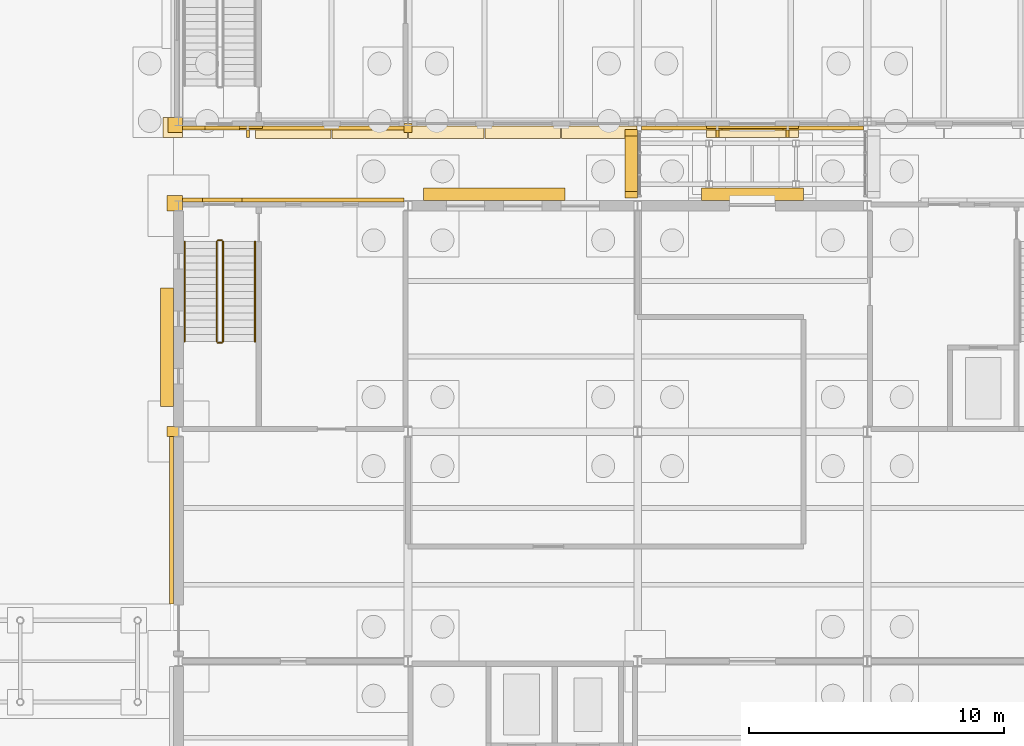
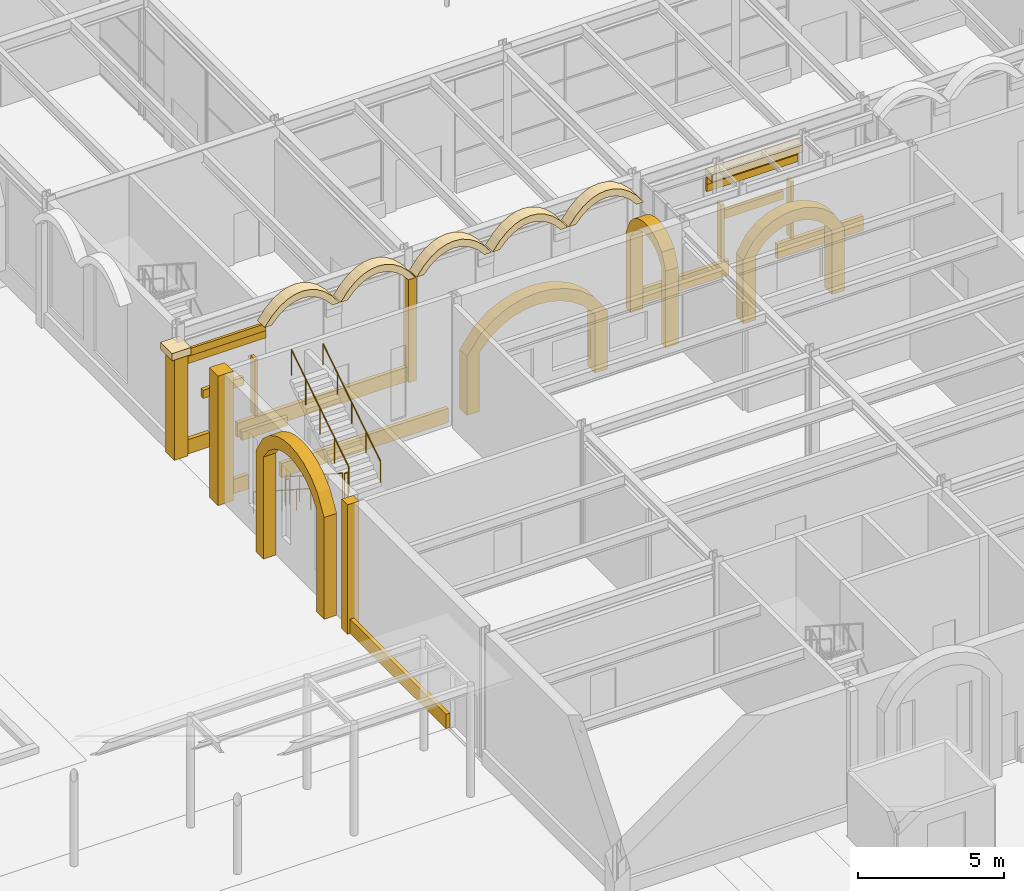
# One storey, part 103 of 126: 29 coverings, 6 railings, 3 shading devices.
"""IFC4 building model written with IfcOpenShell, lengths in metres."""

from ifc_helpers import new_model, si_unit, direction, frame, origin, origin_2d, place, context, subcontext, project, spatial, polyline, rectangle, circle, outline, extrude, material, layer, layer_set, type_object, element, save


model = new_model("IFC4")

# Units and contexts
model_context = context("Model", 3, precision=1e-05, world=origin(), true_north=direction((0.0, 1.0)))
body_context = subcontext(model_context, "Body", "Model", "MODEL_VIEW")
ifc_project = project(units=[si_unit("LENGTHUNIT", "METRE"), si_unit("AREAUNIT", "SQUARE_METRE"), si_unit("VOLUMEUNIT", "CUBIC_METRE"), si_unit("PLANEANGLEUNIT", "RADIAN"), si_unit("MASSUNIT", "GRAM", prefix="KILO")], contexts=[model_context])

# Site, building, storey
site_placement = place(None, origin())
site = spatial("IfcSite", under=ifc_project, at=site_placement, CompositionType="ELEMENT")
building_placement = place(site_placement, origin())
building = spatial("IfcBuilding", under=site, at=building_placement, Name="Kallimachos Central Library", CompositionType="ELEMENT")
storey_placement = place(building_placement, origin())
storey = spatial("IfcBuildingStorey", under=building, at=storey_placement, Name="L00", CompositionType="ELEMENT", Elevation=0.0)

# Coverings
ifc_material_1 = material(Name="Glazed ceramic frieze, green")
ifc_layer_1 = layer(ifc_material_1, 0.10009765625)
ifc_layer_set_1 = layer_set([ifc_layer_1], Name="Glazed ceramic frieze, green")
covering_type_1 = type_object("IfcCoveringType", Name="Glazed ceramic frieze, green", PredefinedType="CLADDING", material=ifc_layer_set_1)
covering_1_placement = place(storey_placement, frame((67.22509765625, 47.929931640625, 4.02978515625), z_axis=(0.0, 0.0, 1.0), x_axis=(1.0, 0.0, 0.0)))
element("IfcCovering", 1, at=covering_1_placement, inside=storey, type_object=covering_type_1, Name="Glazed ceramic frieze, green -L00-015", PredefinedType="CLADDING", context=body_context, shape_type="SweptSolid", body=[
    extrude(rectangle(XDim=3.14990234375, YDim=0.10009765625, at=origin_2d()), origin(), (0.0, 0.0, 1.0), 0.300048828125),
])
covering_2_placement = place(storey_placement, frame((88.0, 47.929931640625, 4.02978515625), z_axis=(0.0, 0.0, 1.0), x_axis=(1.0, 0.0, 0.0)))
element("IfcCovering", 2, at=covering_2_placement, inside=storey, type_object=covering_type_1, Name="Glazed ceramic frieze, green -L00-017", PredefinedType="CLADDING", context=body_context, shape_type="SweptSolid", body=[
    extrude(rectangle(XDim=3.60009765625, YDim=0.10009765625, at=origin_2d()), origin(), (0.0, 0.0, 1.0), 0.300048828125),
])
ifc_material_2 = material(Name="Glazed ceramic frieze, ochre")
ifc_layer_2 = layer(ifc_material_2, 0.10009765625)
ifc_layer_set_2 = layer_set([ifc_layer_2], Name="Glazed ceramic frieze, ochre")
covering_type_2 = type_object("IfcCoveringType", Name="Glazed ceramic frieze, ochre", PredefinedType="CLADDING", material=ifc_layer_set_2)
covering_3_placement = place(storey_placement, frame((67.22509765625, 47.929931640625, 3.72998046875), z_axis=(0.0, 0.0, 1.0), x_axis=(1.0, 0.0, 0.0)))
element("IfcCovering", 3, at=covering_3_placement, inside=storey, type_object=covering_type_2, Name="Glazed ceramic frieze, ochre -L00-015", PredefinedType="CLADDING", context=body_context, shape_type="SweptSolid", body=[
    extrude(rectangle(XDim=3.14990234375, YDim=0.10009765625, at=origin_2d()), origin(), (0.0, 0.0, 1.0), 0.300048828125),
])
covering_4_placement = place(storey_placement, frame((88.0, 47.929931640625, 3.72998046875), z_axis=(0.0, 0.0, 1.0), x_axis=(1.0, 0.0, 0.0)))
element("IfcCovering", 4, at=covering_4_placement, inside=storey, type_object=covering_type_2, Name="Glazed ceramic frieze, ochre -L00-017", PredefinedType="CLADDING", context=body_context, shape_type="SweptSolid", body=[
    extrude(rectangle(XDim=3.60009765625, YDim=0.10009765625, at=origin_2d()), origin(), (0.0, 0.0, 1.0), 0.300048828125),
])

# Railings
ifc_material_3 = material(Name="Steel S355J2", Category="steel")
railing_type_1 = type_object("IfcRailingType", Name="Stair handrail 900", PredefinedType="HANDRAIL", material=ifc_material_3)
railing_1_placement = place(storey_placement, frame((65.75, 43.449951171875, 0.179931640625)))
element("IfcRailing", 5, at=railing_1_placement, inside=storey, type_object=railing_type_1, Name="L00 ST15 stair handrail 1", PredefinedType="HANDRAIL", context=body_context, shape_type="SweptSolid", body=[
    extrude(circle(Radius=0.02392578125, at=origin_2d()), frame((0.0, 0.0, 0.8759765625), z_axis=(0.0, -0.841171666519, 0.540768182723), x_axis=(1.0, 0.0, 0.0)), (0.0, 0.0, 1.0), 4.66015625),
    extrude(circle(Radius=0.02099609375, at=origin_2d()), origin(), (0.0, 0.0, 1.0), 0.851806640625),
    extrude(circle(Radius=0.02099609375, at=origin_2d()), frame((0.0, -0.97998046875, 0.6298828125)), (0.0, 0.0, 1.0), 0.851806640625),
    extrude(circle(Radius=0.02099609375, at=origin_2d()), frame((0.0, -1.9599609375, 1.260009765625)), (0.0, 0.0, 1.0), 0.851806640625),
    extrude(circle(Radius=0.02099609375, at=origin_2d()), frame((0.0, -2.93994140625, 1.89013671875)), (0.0, 0.0, 1.0), 0.851806640625),
    extrude(circle(Radius=0.02099609375, at=origin_2d()), frame((0.0, -3.919921875, 2.52001953125)), (0.0, 0.0, 1.0), 0.851806640625),
])
railing_2_placement = place(storey_placement, frame((68.5, 39.530029296875, 2.8798828125)))
element("IfcRailing", 6, at=railing_2_placement, inside=storey, type_object=railing_type_1, Name="L00 ST15 stair handrail 2", PredefinedType="HANDRAIL", context=body_context, shape_type="SweptSolid", body=[
    extrude(circle(Radius=0.02392578125, at=origin_2d()), frame((0.0, 0.0, 0.8759765625), z_axis=(0.0, 0.841171666519, 0.540768182723), x_axis=(-1.0, 0.0, 0.0)), (0.0, 0.0, 1.0), 4.66015625),
    extrude(circle(Radius=0.02099609375, at=origin_2d()), origin(), (0.0, 0.0, 1.0), 0.851806640625),
    extrude(circle(Radius=0.02099609375, at=origin_2d()), frame((0.0, 0.97998046875, 0.6298828125)), (0.0, 0.0, 1.0), 0.851806640625),
    extrude(circle(Radius=0.02099609375, at=origin_2d()), frame((0.0, 1.9599609375, 1.260009765625)), (0.0, 0.0, 1.0), 0.851806640625),
    extrude(circle(Radius=0.02099609375, at=origin_2d()), frame((0.0, 2.93994140625, 1.89013671875)), (0.0, 0.0, 1.0), 0.851806640625),
    extrude(circle(Radius=0.02099609375, at=origin_2d()), frame((0.0, 3.919921875, 2.52001953125)), (0.0, 0.0, 1.0), 0.851806640625),
])

# Coverings
ifc_material_4 = material(Name="Pentelic marble arch ring", Category="masonry")
ifc_layer_3 = layer(ifc_material_4, 0.5)
ifc_layer_set_3 = layer_set([ifc_layer_3], Name="Stone arcade arch 500")
covering_type_3 = type_object("IfcCoveringType", Name="Stone arcade arch 500", PredefinedType="MOLDING", material=ifc_layer_set_3)
for number, where, z_axis, x_axis, name in (
    (7, (68.52001953125, 47.47998046875, 4.5), (0.0, -1.0, 0.0), (1.0, 0.0, 0.0), "Arcade arch 1"),
    (8, (71.52001953125, 47.47998046875, 4.5), (0.0, -1.0, 0.0), (1.0, 0.0, 0.0), "Arcade arch 2"),
    (9, (74.52001953125, 47.47998046875, 4.5), (0.0, -1.0, 0.0), (1.0, 0.0, 0.0), "Arcade arch 3"),
    (10, (77.52001953125, 47.47998046875, 4.5), (0.0, -1.0, 0.0), (1.0, 0.0, 0.0), "Arcade arch 4"),
    (11, (80.52001953125, 47.47998046875, 4.5), (0.0, -1.0, 0.0), (1.0, 0.0, 0.0), "Arcade arch 5"),
):
    element("IfcCovering", number, at=place(storey_placement, frame(where, z_axis=z_axis, x_axis=x_axis)), inside=storey, type_object=covering_type_3, Name=name, PredefinedType="MOLDING", context=body_context, shape_type="SweptSolid", body=[
        extrude(outline(polyline([(0.0, 0.0), (0.280029296875, 0.0), (0.280029296875, 0.0), (0.52001953125, 0.2666015625), (0.760009765625, 0.462646484375), (1.0, 0.596435546875), (1.239990234375, 0.67431640625), (1.47998046875, 0.699951171875), (1.719970703125, 0.67431640625), (1.9599609375, 0.596435546875), (2.199951171875, 0.462646484375), (2.43994140625, 0.2666015625), (2.679931640625, 0.0), (2.679931640625, 0.0), (2.9599609375, 0.0), (2.9599609375, 0.0), (2.6640625, 0.38671875), (2.367919921875, 0.666259765625), (2.072021484375, 0.85498046875), (1.77587890625, 0.96435546875), (1.47998046875, 1.0), (1.18408203125, 0.96435546875), (0.887939453125, 0.85498046875), (0.592041015625, 0.666259765625), (0.2958984375, 0.38671875), (0.0, 0.0), (0.0, 0.0)])), origin(), (0.0, 0.0, -1.0), 0.5),
    ])
ifc_material_5 = material(Name="Pentelic marble arcade ring", Category="masonry")
ifc_layer_4 = layer(ifc_material_5, 0.5)
ifc_layer_set_4 = layer_set([ifc_layer_4], Name="Stone arcade ring 500")
covering_type_4 = type_object("IfcCoveringType", Name="Stone arcade ring 500", PredefinedType="MOLDING", material=ifc_layer_set_4)
covering_5_placement = place(storey_placement, frame((75.10009765625, 45.550048828125, 0.0), z_axis=(0.0, 1.0, 0.0), x_axis=(0.0, 0.0, 1.0)))
element("IfcCovering", 12, at=covering_5_placement, inside=storey, type_object=covering_type_4, Name="Arch ring -L00-016-3", PredefinedType="MOLDING", context=body_context, shape_type="SweptSolid", body=[
    extrude(outline(polyline([(0.0, 0.0), (2.449951171875, 0.0), (3.22021484375, 0.554931640625), (3.667724609375, 1.10986328125), (3.945556640625, 1.664794921875), (4.10009765625, 2.219970703125), (4.14990234375, 2.77490234375), (4.10009765625, 3.329833984375), (3.945556640625, 3.885009765625), (3.667724609375, 4.43994140625), (3.22021484375, 4.994873046875), (2.449951171875, 5.5498046875), (0.0, 5.5498046875), (0.0, 5.0498046875), (2.449951171875, 5.0498046875), (2.963623046875, 4.594970703125), (3.288330078125, 4.139892578125), (3.49560546875, 3.684814453125), (3.6123046875, 3.22998046875), (3.64990234375, 2.77490234375), (3.6123046875, 2.31982421875), (3.49560546875, 1.864990234375), (3.288330078125, 1.409912109375), (2.963623046875, 0.954833984375), (2.449951171875, 0.5), (0.0, 0.5), (0.0, 0.0)])), origin(), (0.0, 0.0, -1.0), 0.5),
])
covering_6_placement = place(storey_placement, frame((86.0, 45.550048828125, 0.0), z_axis=(0.0, 1.0, 0.0), x_axis=(0.0, 0.0, 1.0)))
element("IfcCovering", 13, at=covering_6_placement, inside=storey, type_object=covering_type_4, Name="Arch ring -L00-017-4", PredefinedType="MOLDING", context=body_context, shape_type="SweptSolid", body=[
    extrude(outline(polyline([(0.0, 0.0), (2.64990234375, 0.0), (3.3251953125, 0.39990234375), (3.679443359375, 0.800048828125), (3.893798828125, 1.199951171875), (4.01220703125, 1.60009765625), (4.050048828125, 2.0), (4.01220703125, 2.39990234375), (3.893798828125, 2.800048828125), (3.679443359375, 3.199951171875), (3.3251953125, 3.60009765625), (2.64990234375, 4.0), (0.0, 4.0), (0.0, 3.5), (2.64990234375, 3.5), (3.05419921875, 3.199951171875), (3.292236328125, 2.89990234375), (3.440673828125, 2.60009765625), (3.523193359375, 2.300048828125), (3.550048828125, 2.0), (3.523193359375, 1.699951171875), (3.440673828125, 1.39990234375), (3.292236328125, 1.10009765625), (3.05419921875, 0.800048828125), (2.64990234375, 0.5), (0.0, 0.5), (0.0, 0.0)])), origin(), (0.0, 0.0, -1.0), 0.5),
])
covering_7_placement = place(storey_placement, frame((64.800048828125, 36.97509765625, 0.0), z_axis=(-1.0, 0.0, 0.0), x_axis=(0.0, 0.0, 1.0)))
element("IfcCovering", 14, at=covering_7_placement, inside=storey, type_object=covering_type_4, Name="Arch ring -L00-022-6", PredefinedType="MOLDING", context=body_context, shape_type="SweptSolid", body=[
    extrude(outline(polyline([(0.0, 0.0), (4.25, 0.0), (5.011474609375, 0.46484375), (5.41796875, 0.929931640625), (5.6650390625, 1.39501953125), (5.80126953125, 1.85986328125), (5.844970703125, 2.324951171875), (5.80126953125, 2.789794921875), (5.6650390625, 3.2548828125), (5.41796875, 3.719970703125), (5.011474609375, 4.184814453125), (4.25, 4.64990234375), (0.0, 4.64990234375), (0.0, 4.14990234375), (4.25, 4.14990234375), (4.74169921875, 3.784912109375), (5.031494140625, 3.419921875), (5.2119140625, 3.054931640625), (5.3125, 2.68994140625), (5.344970703125, 2.324951171875), (5.3125, 1.9599609375), (5.2119140625, 1.594970703125), (5.031494140625, 1.22998046875), (4.74169921875, 0.864990234375), (4.25, 0.5), (0.0, 0.5), (0.0, 0.0)])), origin(), (0.0, 0.0, -1.0), 0.5),
])
ifc_material_6 = material(Name="Pentelic marble cornice", Category="masonry")
ifc_layer_5 = layer(ifc_material_6, 0.449951171875)
ifc_layer_set_5 = layer_set([ifc_layer_5], Name="Stone cornice 450")
covering_type_5 = type_object("IfcCoveringType", Name="Stone cornice 450", PredefinedType="MOLDING", material=ifc_layer_set_5)
covering_8_placement = place(storey_placement, frame((88.0, 47.7548828125, 4.35009765625), z_axis=(0.0, 0.0, 1.0), x_axis=(1.0, 0.0, 0.0)))
element("IfcCovering", 15, at=covering_8_placement, inside=storey, type_object=covering_type_5, Name="Stone cornice 450 -L00-017", PredefinedType="MOLDING", context=body_context, shape_type="SweptSolid", body=[
    extrude(rectangle(XDim=3.60009765625, YDim=0.449951171875, at=origin_2d()), origin(), (0.0, 0.0, 1.0), 0.300048828125),
])
covering_9_placement = place(storey_placement, frame((65.27490234375, 47.925048828125, 4.35009765625), z_axis=(0.0, 0.0, 1.0), x_axis=(1.0, 0.0, 0.0)))
element("IfcCovering", 16, at=covering_9_placement, inside=storey, type_object=covering_type_5, Name="Stone cornice 450 corner", PredefinedType="MOLDING", context=body_context, shape_type="SweptSolid", body=[
    extrude(rectangle(XDim=0.75, YDim=0.7900390625, at=origin_2d()), origin(), (0.0, 0.0, 1.0), 0.300048828125),
])
ifc_material_7 = material(Name="Pentelic marble door surround", Category="masonry")
ifc_layer_6 = layer(ifc_material_7, 0.14990234375)
ifc_layer_set_6 = layer_set([ifc_layer_6], Name="Stone door surround 300")
covering_type_6 = type_object("IfcCoveringType", Name="Stone door surround 300", PredefinedType="MOLDING", material=ifc_layer_set_6)
covering_10_placement = place(storey_placement, frame((67.10009765625, 47.905029296875, 2.099853515625), z_axis=(0.0, 0.0, 1.0), x_axis=(1.0, 0.0, 0.0)))
element("IfcCovering", 17, at=covering_10_placement, inside=storey, type_object=covering_type_6, Name="Stone door surround 300 -L00-005", PredefinedType="MOLDING", context=body_context, shape_type="SweptSolid", body=[
    extrude(rectangle(XDim=1.60009765625, YDim=0.14990234375, at=origin_2d()), origin(), (0.0, 0.0, 1.0), 0.35009765625),
])
covering_11_placement = place(storey_placement, frame((88.0, 47.905029296875, 2.39990234375), z_axis=(0.0, 0.0, 1.0), x_axis=(1.0, 0.0, 0.0)))
element("IfcCovering", 18, at=covering_11_placement, inside=storey, type_object=covering_type_6, Name="Stone door surround 300 -L00-006", PredefinedType="MOLDING", context=body_context, shape_type="SweptSolid", body=[
    extrude(rectangle(XDim=2.39990234375, YDim=0.14990234375, at=origin_2d()), origin(), (0.0, 0.0, 1.0), 0.35009765625),
])
covering_12_placement = place(storey_placement, frame((67.10009765625, 45.074951171875, 2.099853515625), z_axis=(0.0, 0.0, 1.0), x_axis=(1.0, 0.0, 0.0)))
element("IfcCovering", 19, at=covering_12_placement, inside=storey, type_object=covering_type_6, Name="Stone door surround 300 -L00-008", PredefinedType="MOLDING", context=body_context, shape_type="SweptSolid", body=[
    extrude(rectangle(XDim=1.800048828125, YDim=0.14990234375, at=origin_2d()), origin(), (0.0, 0.0, 1.0), 0.35009765625),
])
ifc_material_8 = material(Name="Pentelic marble arch ring", Category="masonry")
ifc_layer_7 = layer(ifc_material_8, 0.5)
ifc_layer_set_7 = layer_set([ifc_layer_7], Name="Stone link portal 500")
covering_type_7 = type_object("IfcCoveringType", Name="Stone link portal 500", PredefinedType="MOLDING", material=ifc_layer_set_7)
covering_13_placement = place(storey_placement, frame((83.0, 45.14990234375, 0.0), z_axis=(-1.0, 0.0, 0.0), x_axis=(0.0, 0.0, 1.0)))
element("IfcCovering", 20, at=covering_13_placement, inside=storey, type_object=covering_type_7, Name="Stacks Link portal west", PredefinedType="MOLDING", context=body_context, shape_type="SweptSolid", body=[
    extrude(outline(polyline([(0.0, 0.0), (3.199951171875, 0.0), (3.8212890625, 0.27001953125), (4.084228515625, 0.5400390625), (4.239013671875, 0.81005859375), (4.322998046875, 1.080078125), (4.35009765625, 1.35009765625), (4.322998046875, 1.6201171875), (4.239013671875, 1.89013671875), (4.084228515625, 2.16015625), (3.8212890625, 2.43017578125), (3.199951171875, 2.7001953125), (0.0, 2.7001953125), (0.0, 2.400146484375), (3.199951171875, 2.400146484375), (3.529541015625, 2.190185546875), (3.709716796875, 1.97998046875), (3.819580078125, 1.77001953125), (3.88037109375, 1.56005859375), (3.89990234375, 1.35009765625), (3.88037109375, 1.14013671875), (3.819580078125, 0.93017578125), (3.709716796875, 0.72021484375), (3.529541015625, 0.510009765625), (3.199951171875, 0.300048828125), (0.0, 0.300048828125), (0.0, 0.0)])), origin(), (0.0, 0.0, -1.0), 0.5),
])
ifc_material_9 = material(Name="Pentelic marble pilaster", Category="masonry")
ifc_layer_8 = layer(ifc_material_9, 0.25)
ifc_layer_set_8 = layer_set([ifc_layer_8], Name="Stone pilaster 250")
covering_type_8 = type_object("IfcCoveringType", Name="Stone pilaster 250", PredefinedType="CLADDING", material=ifc_layer_set_8)
covering_14_placement = place(storey_placement, frame((65.27490234375, 36.0, 0.0), z_axis=(0.0, 0.0, 1.0), x_axis=(1.0, 0.0, 0.0)))
element("IfcCovering", 21, at=covering_14_placement, inside=storey, type_object=covering_type_8, Name="Stone pilaster 250 -L00-021", PredefinedType="CLADDING", context=body_context, shape_type="SweptSolid", body=[
    extrude(rectangle(XDim=0.449951171875, YDim=0.39990234375, at=origin_2d()), origin(), (0.0, 0.0, 1.0), 5.39990234375),
])
covering_15_placement = place(storey_placement, frame((74.5, 47.905029296875, 0.0), z_axis=(0.0, 0.0, 1.0), x_axis=(1.0, 0.0, 0.0)))
element("IfcCovering", 22, at=covering_15_placement, inside=storey, type_object=covering_type_8, Name="Stone pilaster 250 -L00-015", PredefinedType="CLADDING", context=body_context, shape_type="SweptSolid", body=[
    extrude(rectangle(XDim=0.300048828125, YDim=0.35009765625, at=origin_2d()), origin(), (0.0, 0.0, 1.0), 4.35009765625),
])
covering_16_placement = place(storey_placement, frame((65.35009765625, 44.949951171875, 0.0), z_axis=(0.0, 0.0, 1.0), x_axis=(1.0, 0.0, 0.0)))
element("IfcCovering", 23, at=covering_16_placement, inside=storey, type_object=covering_type_8, Name="Stone pilaster 250 corner", PredefinedType="CLADDING", context=body_context, shape_type="SweptSolid", body=[
    extrude(rectangle(XDim=0.60009765625, YDim=0.60009765625, at=origin_2d()), origin(), (0.0, 0.0, 1.0), 5.39990234375),
])
covering_17_placement = place(storey_placement, frame((65.375, 48.02490234375, 0.0), z_axis=(0.0, 0.0, 1.0), x_axis=(1.0, 0.0, 0.0)))
element("IfcCovering", 24, at=covering_17_placement, inside=storey, type_object=covering_type_8, Name="Stone pilaster 250 corner", PredefinedType="CLADDING", context=body_context, shape_type="SweptSolid", body=[
    extrude(rectangle(XDim=0.550048828125, YDim=0.590087890625, at=origin_2d()), origin(), (0.0, 0.0, 1.0), 4.35009765625),
])
ifc_material_10 = material(Name="Pentelic marble plinth course", Category="masonry")
ifc_layer_9 = layer(ifc_material_10, 0.14990234375)
ifc_layer_set_9 = layer_set([ifc_layer_9], Name="Stone plinth course 600")
covering_type_9 = type_object("IfcCoveringType", Name="Stone plinth course 600", PredefinedType="CLADDING", material=ifc_layer_set_9)
covering_18_placement = place(storey_placement, frame((66.10009765625, 47.905029296875, 0.0), z_axis=(0.0, 0.0, 1.0), x_axis=(1.0, 0.0, 0.0)))
element("IfcCovering", 25, at=covering_18_placement, inside=storey, type_object=covering_type_9, Name="Stone plinth course 600 -L00-015", PredefinedType="CLADDING", context=body_context, shape_type="SweptSolid", body=[
    extrude(rectangle(XDim=0.89990234375, YDim=0.14990234375, at=origin_2d()), origin(), (0.0, 0.0, 1.0), 0.60009765625),
])
covering_19_placement = place(storey_placement, frame((71.0, 47.905029296875, 0.0), z_axis=(0.0, 0.0, 1.0), x_axis=(1.0, 0.0, 0.0)))
element("IfcCovering", 26, at=covering_19_placement, inside=storey, type_object=covering_type_9, Name="Stone plinth course 600 -L00-015", PredefinedType="CLADDING", context=body_context, shape_type="SweptSolid", body=[
    extrude(rectangle(XDim=6.699951171875, YDim=0.14990234375, at=origin_2d()), origin(), (0.0, 0.0, 1.0), 0.60009765625),
])
for number, where, z_axis, x_axis, name in (
    (27, (85.35009765625, 47.905029296875, 0.0), (0.0, 0.0, 1.0), (1.0, 0.0, 0.0), "Stone plinth course 600 -L00-017"),
    (28, (90.64990234375, 47.905029296875, 0.0), (0.0, 0.0, 1.0), (1.0, 0.0, 0.0), "Stone plinth course 600 -L00-017"),
):
    element("IfcCovering", number, at=place(storey_placement, frame(where, z_axis=z_axis, x_axis=x_axis)), inside=storey, type_object=covering_type_9, Name=name, PredefinedType="CLADDING", context=body_context, shape_type="SweptSolid", body=[
        extrude(rectangle(XDim=3.39990234375, YDim=0.14990234375, at=origin_2d()), origin(), (0.0, 0.0, 1.0), 0.60009765625),
    ])
covering_20_placement = place(storey_placement, frame((66.050048828125, 45.074951171875, 0.0), z_axis=(0.0, 0.0, 1.0), x_axis=(1.0, 0.0, 0.0)))
element("IfcCovering", 29, at=covering_20_placement, inside=storey, type_object=covering_type_9, Name="Stone plinth course 600 -L00-015", PredefinedType="CLADDING", context=body_context, shape_type="SweptSolid", body=[
    extrude(rectangle(XDim=0.800048828125, YDim=0.14990234375, at=origin_2d()), origin(), (0.0, 0.0, 1.0), 0.60009765625),
])
covering_21_placement = place(storey_placement, frame((71.050048828125, 45.074951171875, 0.0), z_axis=(0.0, 0.0, 1.0), x_axis=(1.0, 0.0, 0.0)))
element("IfcCovering", 30, at=covering_21_placement, inside=storey, type_object=covering_type_9, Name="Stone plinth course 600 -L00-015", PredefinedType="CLADDING", context=body_context, shape_type="SweptSolid", body=[
    extrude(rectangle(XDim=6.60009765625, YDim=0.14990234375, at=origin_2d()), origin(), (0.0, 0.0, 1.0), 0.60009765625),
])
covering_22_placement = place(storey_placement, frame((65.22509765625, 32.52490234375, 0.0), z_axis=(0.0, 0.0, 1.0), x_axis=(1.0, 0.0, 0.0)))
element("IfcCovering", 31, at=covering_22_placement, inside=storey, type_object=covering_type_9, Name="Stone plinth course 600 -L00-021", PredefinedType="CLADDING", context=body_context, shape_type="SweptSolid", body=[
    extrude(rectangle(XDim=0.14990234375, YDim=6.550048828125, at=origin_2d()), origin(), (0.0, 0.0, 1.0), 0.60009765625),
])

# Shading devices
ifc_material_11 = material(Name="Pentelic marble fin", Category="masonry")
ifc_layer_10 = layer(ifc_material_11, 0.1201171875)
ifc_layer_set_10 = layer_set([ifc_layer_10], Name="Stone sun-shade fin 120")
shading_device_type = type_object("IfcShadingDeviceType", Name="Stone sun-shade fin 120", PredefinedType="USERDEFINED", material=ifc_layer_set_10)
for number, where, z_axis, x_axis, name in (
    (32, (68.22509765625, 47.679931640625, 0.89990234375), (0.0, 0.0, 1.0), (1.0, 0.0, 0.0), "Stone sun-shade fin 120 -L00-015"),
    (33, (86.625, 47.679931640625, 0.89990234375), (0.0, 0.0, 1.0), (1.0, 0.0, 0.0), "Stone sun-shade fin 120 -L00-017"),
    (34, (89.375, 47.679931640625, 0.89990234375), (0.0, 0.0, 1.0), (1.0, 0.0, 0.0), "Stone sun-shade fin 120 -L00-017"),
):
    element("IfcShadingDevice", number, at=place(storey_placement, frame(where, z_axis=z_axis, x_axis=x_axis)), inside=storey, type_object=shading_device_type, Name=name, ObjectType="FIN", PredefinedType="USERDEFINED", context=body_context, shape_type="SweptSolid", body=[
        extrude(rectangle(XDim=0.1201171875, YDim=0.300048828125, at=origin_2d()), origin(), (0.0, 0.0, 1.0), 2.35009765625),
    ])

# Railings
ifc_material_12 = material(Name="Steel S355J2", Category="steel")
railing_type_2 = type_object("IfcRailingType", Name="Wrought-iron guard 1100", PredefinedType="GUARDRAIL", material=ifc_material_12)
railing_3_placement = place(storey_placement, frame((67.0, 43.449951171875, 0.179931640625)))
element("IfcRailing", 35, at=railing_3_placement, inside=storey, type_object=railing_type_2, Name="L00 ST15 stair guard 1", PredefinedType="GUARDRAIL", context=body_context, shape_type="SweptSolid", body=[
    extrude(circle(Radius=0.02392578125, at=origin_2d()), frame((0.0, 0.0, 1.076171875), z_axis=(0.0, -0.841171666519, 0.540768182723), x_axis=(1.0, 0.0, 0.0)), (0.0, 0.0, 1.0), 4.66015625),
    extrude(circle(Radius=0.02099609375, at=origin_2d()), origin(), (0.0, 0.0, 1.0), 1.052001953125),
    extrude(circle(Radius=0.02099609375, at=origin_2d()), frame((0.0, -0.97998046875, 0.6298828125)), (0.0, 0.0, 1.0), 1.052001953125),
    extrude(circle(Radius=0.02099609375, at=origin_2d()), frame((0.0, -1.9599609375, 1.260009765625)), (0.0, 0.0, 1.0), 1.052001953125),
    extrude(circle(Radius=0.02099609375, at=origin_2d()), frame((0.0, -2.93994140625, 1.89013671875)), (0.0, 0.0, 1.0), 1.052001953125),
    extrude(circle(Radius=0.02099609375, at=origin_2d()), frame((0.0, -3.919921875, 2.52001953125)), (0.0, 0.0, 1.0), 1.052001953125),
])
railing_4_placement = place(storey_placement, frame((67.050048828125, 39.47998046875, 2.699951171875)))
element("IfcRailing", 36, at=railing_4_placement, inside=storey, type_object=railing_type_2, Name="L00 ST15 stair guard 2", PredefinedType="GUARDRAIL", context=body_context, shape_type="SweptSolid", body=[
    extrude(circle(Radius=0.02392578125, at=origin_2d()), frame((0.0, 0.0, 1.076171875), z_axis=(1.0, 0.0, 0.0), x_axis=(0.0, 1.0, 0.0)), (0.0, 0.0, 1.0), 0.14990234375),
    extrude(circle(Radius=0.02099609375, at=origin_2d()), origin(), (0.0, 0.0, 1.0), 1.052001953125),
    extrude(circle(Radius=0.02099609375, at=origin_2d()), frame((0.14990234375, 0.0, 0.0)), (0.0, 0.0, 1.0), 1.052001953125),
])
railing_5_placement = place(storey_placement, frame((67.25, 39.530029296875, 2.8798828125)))
element("IfcRailing", 37, at=railing_5_placement, inside=storey, type_object=railing_type_2, Name="L00 ST15 stair guard 3", PredefinedType="GUARDRAIL", context=body_context, shape_type="SweptSolid", body=[
    extrude(circle(Radius=0.02392578125, at=origin_2d()), frame((0.0, 0.0, 1.076171875), z_axis=(0.0, 0.841171666519, 0.540768182723), x_axis=(-1.0, 0.0, 0.0)), (0.0, 0.0, 1.0), 4.66015625),
    extrude(circle(Radius=0.02099609375, at=origin_2d()), origin(), (0.0, 0.0, 1.0), 1.052001953125),
    extrude(circle(Radius=0.02099609375, at=origin_2d()), frame((0.0, 0.97998046875, 0.6298828125)), (0.0, 0.0, 1.0), 1.052001953125),
    extrude(circle(Radius=0.02099609375, at=origin_2d()), frame((0.0, 1.9599609375, 1.260009765625)), (0.0, 0.0, 1.0), 1.052001953125),
    extrude(circle(Radius=0.02099609375, at=origin_2d()), frame((0.0, 2.93994140625, 1.89013671875)), (0.0, 0.0, 1.0), 1.052001953125),
    extrude(circle(Radius=0.02099609375, at=origin_2d()), frame((0.0, 3.919921875, 2.52001953125)), (0.0, 0.0, 1.0), 1.052001953125),
])
railing_6_placement = place(storey_placement, frame((67.050048828125, 43.5, 0.0)))
element("IfcRailing", 38, at=railing_6_placement, inside=storey, type_object=railing_type_2, Name="L00 ST15 stair guard 4", PredefinedType="GUARDRAIL", context=body_context, shape_type="SweptSolid", body=[
    extrude(circle(Radius=0.02392578125, at=origin_2d()), frame((0.0, 0.0, 1.076171875), z_axis=(1.0, 0.0, 0.0), x_axis=(0.0, 1.0, 0.0)), (0.0, 0.0, 1.0), 0.14990234375),
    extrude(circle(Radius=0.02099609375, at=origin_2d()), origin(), (0.0, 0.0, 1.0), 1.052001953125),
    extrude(circle(Radius=0.02099609375, at=origin_2d()), frame((0.14990234375, 0.0, 0.0)), (0.0, 0.0, 1.0), 1.052001953125),
])

save(model, "model.ifc")
